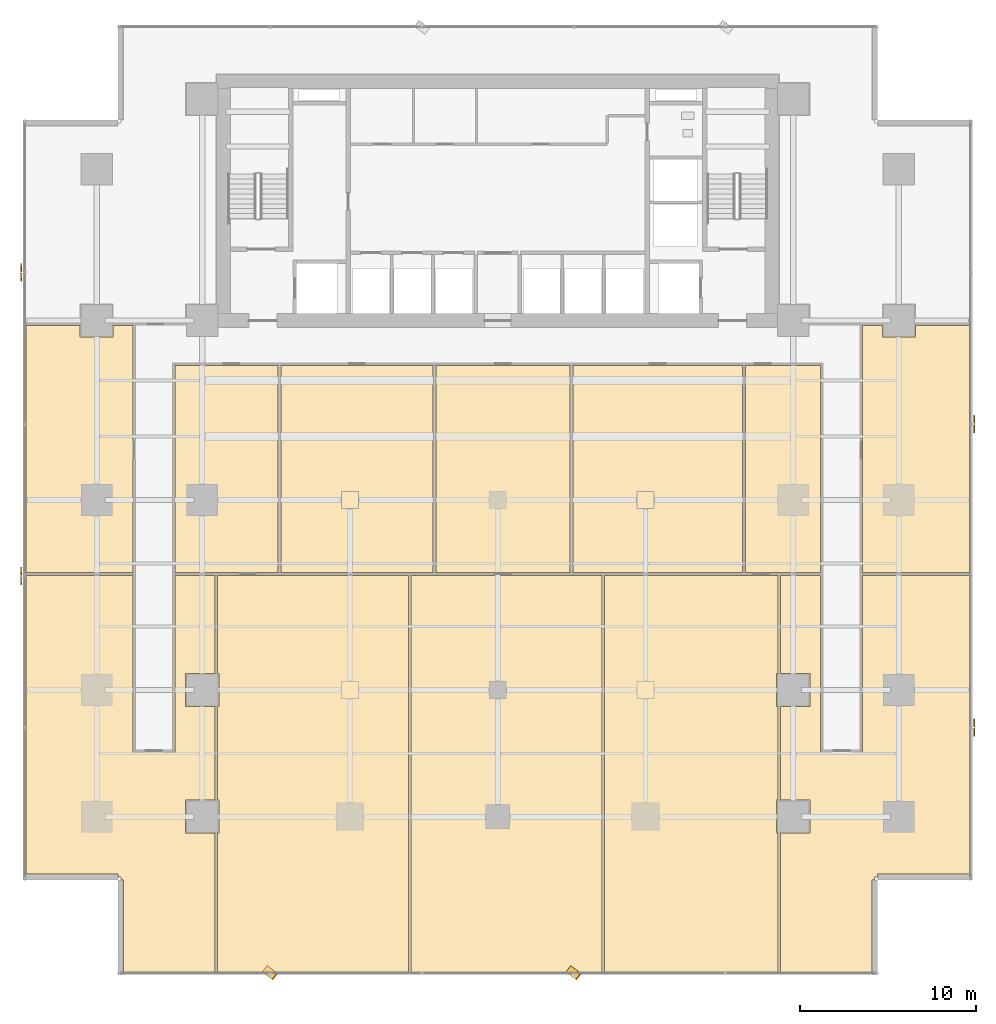
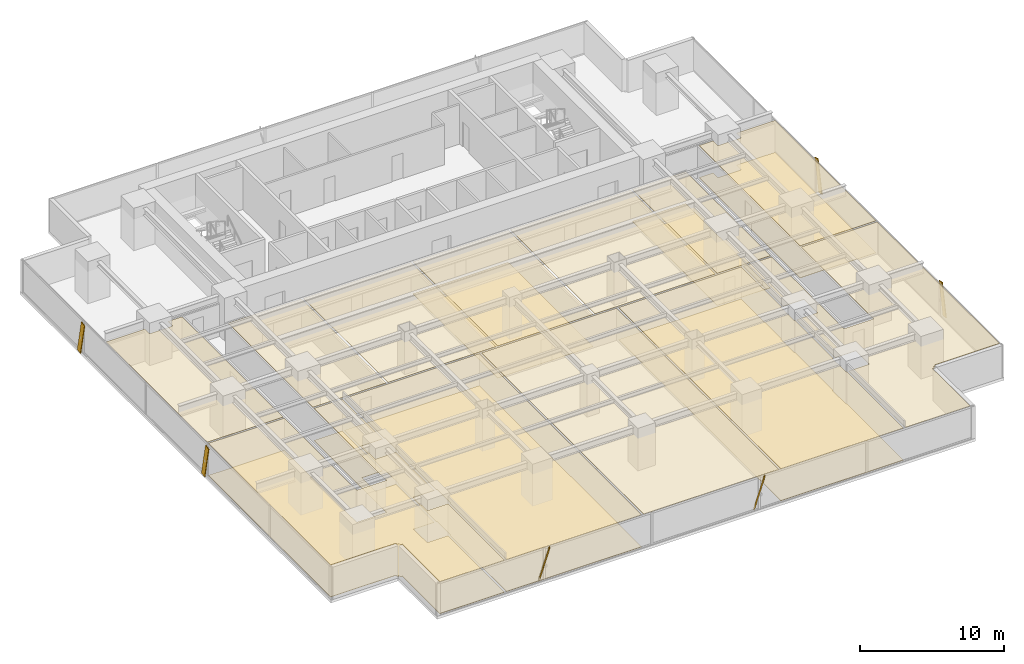
# One storey, part 29 of 33: 18 coverings, 6 shading devices.
"""IFC4 building model written with IfcOpenShell, lengths in metres."""

from ifc_helpers import new_model, si_unit, direction, frame, origin, origin_2d, place, context, subcontext, project, spatial, polyline, rectangle, outline, extrude, source, transform, mapped, material, layer, layer_set, material_profile, profile_set, type_object, element, save


model = new_model("IFC4")

# Units and contexts
model_context = context("Model", 3, precision=1e-05, world=origin(), true_north=direction((0.0, 1.0)))
body_context = subcontext(model_context, "Body", "Model", "MODEL_VIEW")
ifc_project = project(units=[si_unit("LENGTHUNIT", "METRE"), si_unit("AREAUNIT", "SQUARE_METRE"), si_unit("VOLUMEUNIT", "CUBIC_METRE"), si_unit("PLANEANGLEUNIT", "RADIAN"), si_unit("MASSUNIT", "GRAM", prefix="KILO")], contexts=[model_context])

# Site, building, storey
site_placement = place(None, origin())
site = spatial("IfcSite", under=ifc_project, at=site_placement, CompositionType="ELEMENT")
building_placement = place(site_placement, origin())
building = spatial("IfcBuilding", under=site, at=building_placement, Name="Sumidabori Civic Tower", CompositionType="ELEMENT")
storey_placement = place(building_placement, frame((0.0, 0.0, 30.800048828125)))
storey = spatial("IfcBuildingStorey", under=building, at=storey_placement, Name="L07", CompositionType="ELEMENT", Elevation=30.800048828125)

# Coverings
ifc_material_1 = material(Name="Acoustic Mineral Gypsum Ceiling Tile")
ifc_layer_1 = layer(ifc_material_1, 0.034912109375, Name="Acoustic Mineral Gypsum Ceiling Tile")
ifc_layer_set_1 = layer_set([ifc_layer_1], Name="Acoustic Mineral Gypsum Ceiling Tile")
covering_type_1 = type_object("IfcCoveringType", Name="CV-CEIL-AC1", PredefinedType="CEILING", material=ifc_layer_set_1)
covering_1_placement = place(storey_placement, frame((0.0, 0.0, 2.7099609375)))
element("IfcCovering", 1, at=covering_1_placement, inside=storey, type_object=covering_type_1, Name="Room Acoustic Ceiling L07-02", PredefinedType="CEILING", context=body_context, shape_type="SweptSolid", body=[
    extrude(outline(polyline([(-26.830078125, -4.1201171875), (-26.830078125, 9.919921875), (-23.739990234375, 9.919921875), (-23.739990234375, 9.260009765625), (-21.860107421875, 9.260009765625), (-21.860107421875, 9.919921875), (-20.739990234375, 9.919921875), (-20.739990234375, -4.1201171875), (-26.830078125, -4.1201171875)])), origin(), (0.0, 0.0, 1.0), 0.034912109375),
])
covering_2_placement = place(storey_placement, frame((0.0, 0.0, 2.7099609375)))
element("IfcCovering", 2, at=covering_2_placement, inside=storey, type_object=covering_type_1, Name="Room Acoustic Ceiling L07-03", PredefinedType="CEILING", context=body_context, shape_type="SweptSolid", body=[
    extrude(outline(polyline([(20.739990234375, 9.919921875), (21.860107421875, 9.919921875), (21.860107421875, 9.260009765625), (23.739990234375, 9.260009765625), (23.739990234375, 9.919921875), (26.830078125, 9.919921875), (26.830078125, -4.1201171875), (20.739990234375, -4.1201171875), (20.739990234375, 9.919921875)])), origin(), (0.0, 0.0, 1.0), 0.034912109375),
])
covering_3_placement = place(storey_placement, frame((0.0, 0.0, 2.7099609375)))
element("IfcCovering", 3, at=covering_3_placement, inside=storey, type_object=covering_type_1, Name="Room Acoustic Ceiling L07-04", PredefinedType="CEILING", context=body_context, shape_type="SweptSolid", body=[
    extrude(outline(polyline([(-18.360107421875, 7.659912109375), (-12.47998046875, 7.659912109375), (-12.47998046875, -4.1201171875), (-18.360107421875, -4.1201171875), (-18.360107421875, 7.659912109375)])), origin(), (0.0, 0.0, 1.0), 0.034912109375),
])
covering_4_placement = place(storey_placement, frame((0.0, 0.0, 2.7099609375)))
element("IfcCovering", 4, at=covering_4_placement, inside=storey, type_object=covering_type_1, Name="Room Acoustic Ceiling L07-05", PredefinedType="CEILING", context=body_context, shape_type="SweptSolid", body=[
    extrude(outline(polyline([(14.080078125, 7.659912109375), (18.360107421875, 7.659912109375), (18.360107421875, -4.1201171875), (14.080078125, -4.1201171875), (14.080078125, 7.659912109375)])), origin(), (0.0, 0.0, 1.0), 0.034912109375),
])
covering_5_placement = place(storey_placement, frame((0.0, 0.0, 2.7099609375)))
element("IfcCovering", 5, at=covering_5_placement, inside=storey, type_object=covering_type_1, Name="Room Acoustic Ceiling L07-06", PredefinedType="CEILING", context=body_context, shape_type="SweptSolid", body=[
    extrude(outline(polyline([(-12.320068359375, 7.659912109375), (-3.679931640625, 7.659912109375), (-3.679931640625, -4.1201171875), (-12.320068359375, -4.1201171875), (-12.320068359375, 7.659912109375)])), origin(), (0.0, 0.0, 1.0), 0.034912109375),
])
covering_6_placement = place(storey_placement, frame((0.0, 0.0, 2.7099609375)))
element("IfcCovering", 6, at=covering_6_placement, inside=storey, type_object=covering_type_1, Name="Room Acoustic Ceiling L07-07", PredefinedType="CEILING", context=body_context, shape_type="SweptSolid", body=[
    extrude(outline(polyline([(-3.52001953125, 7.659912109375), (4.1201171875, 7.659912109375), (4.1201171875, -4.1201171875), (-3.52001953125, -4.1201171875), (-3.52001953125, 7.659912109375)])), origin(), (0.0, 0.0, 1.0), 0.034912109375),
])
covering_7_placement = place(storey_placement, frame((0.0, 0.0, 2.7099609375)))
element("IfcCovering", 7, at=covering_7_placement, inside=storey, type_object=covering_type_1, Name="Room Acoustic Ceiling L07-08", PredefinedType="CEILING", context=body_context, shape_type="SweptSolid", body=[
    extrude(outline(polyline([(4.280029296875, 7.659912109375), (13.919921875, 7.659912109375), (13.919921875, -4.1201171875), (4.280029296875, -4.1201171875), (4.280029296875, 7.659912109375)])), origin(), (0.0, 0.0, 1.0), 0.034912109375),
])
covering_8_placement = place(storey_placement, frame((0.0, 0.0, 2.7099609375)))
element("IfcCovering", 8, at=covering_8_placement, inside=storey, type_object=covering_type_1, Name="Room Acoustic Ceiling L07-09", PredefinedType="CEILING", context=body_context, shape_type="SweptSolid", body=[
    extrude(outline(polyline([(-26.830078125, -21.27197265625), (-26.830078125, -4.280029296875), (-20.739990234375, -4.280029296875), (-20.739990234375, -14.33251953125), (-20.724609375, -14.340087890625), (-18.360107421875, -14.340087890625), (-18.360107421875, -4.280029296875), (-16.080078125, -4.280029296875), (-16.080078125, -9.860107421875), (-17.739990234375, -9.860107421875), (-17.739990234375, -11.739990234375), (-16.080078125, -11.739990234375), (-16.080078125, -17.06005859375), (-17.739990234375, -17.06005859375), (-17.739990234375, -18.93994140625), (-16.080078125, -18.93994140625), (-16.080078125, -26.830078125), (-21.27197265625, -26.830078125), (-21.27197265625, -21.592041015625), (-21.429931640625, -21.592041015625), (-21.429931640625, -21.429931640625), (-21.592041015625, -21.429931640625), (-21.592041015625, -21.27197265625), (-26.830078125, -21.27197265625)])), origin(), (0.0, 0.0, 1.0), 0.034912109375),
])
covering_9_placement = place(storey_placement, frame((0.0, 0.0, 2.7099609375)))
element("IfcCovering", 9, at=covering_9_placement, inside=storey, type_object=covering_type_1, Name="Room Acoustic Ceiling L07-10", PredefinedType="CEILING", context=body_context, shape_type="SweptSolid", body=[
    extrude(outline(polyline([(18.360107421875, -14.340087890625), (20.724609375, -14.340087890625), (20.739990234375, -14.33251953125), (20.739990234375, -4.280029296875), (26.830078125, -4.280029296875), (26.830078125, -21.27197265625), (21.592041015625, -21.27197265625), (21.592041015625, -21.429931640625), (21.429931640625, -21.429931640625), (21.429931640625, -21.592041015625), (21.27197265625, -21.592041015625), (21.27197265625, -26.830078125), (16.080078125, -26.830078125), (16.080078125, -18.93994140625), (17.739990234375, -18.93994140625), (17.739990234375, -17.06005859375), (16.080078125, -17.06005859375), (16.080078125, -11.739990234375), (17.739990234375, -11.739990234375), (17.739990234375, -9.860107421875), (16.080078125, -9.860107421875), (16.080078125, -4.280029296875), (18.360107421875, -4.280029296875), (18.360107421875, -14.340087890625)])), origin(), (0.0, 0.0, 1.0), 0.034912109375),
])
covering_10_placement = place(storey_placement, frame((0.0, 0.0, 2.7099609375)))
element("IfcCovering", 10, at=covering_10_placement, inside=storey, type_object=covering_type_1, Name="Room Acoustic Ceiling L07-11", PredefinedType="CEILING", context=body_context, shape_type="SweptSolid", body=[
    extrude(outline(polyline([(-15.860107421875, -17.06005859375), (-15.919921875, -17.06005859375), (-15.919921875, -11.739990234375), (-15.860107421875, -11.739990234375), (-15.860107421875, -9.860107421875), (-15.919921875, -9.860107421875), (-15.919921875, -4.280029296875), (-5.080078125, -4.280029296875), (-5.080078125, -26.830078125), (-15.919921875, -26.830078125), (-15.919921875, -18.93994140625), (-15.860107421875, -18.93994140625), (-15.860107421875, -17.06005859375)])), origin(), (0.0, 0.0, 1.0), 0.034912109375),
])
covering_11_placement = place(storey_placement, frame((0.0, 0.0, 2.7099609375)))
element("IfcCovering", 11, at=covering_11_placement, inside=storey, type_object=covering_type_1, Name="Room Acoustic Ceiling L07-12", PredefinedType="CEILING", context=body_context, shape_type="SweptSolid", body=[
    extrude(outline(polyline([(5.919921875, -26.830078125), (-4.919921875, -26.830078125), (-4.919921875, -4.280029296875), (5.919921875, -4.280029296875), (5.919921875, -26.830078125)])), origin(), (0.0, 0.0, 1.0), 0.034912109375),
])
covering_12_placement = place(storey_placement, frame((0.0, 0.0, 2.7099609375)))
element("IfcCovering", 12, at=covering_12_placement, inside=storey, type_object=covering_type_1, Name="Room Acoustic Ceiling L07-13", PredefinedType="CEILING", context=body_context, shape_type="SweptSolid", body=[
    extrude(outline(polyline([(15.919921875, -18.93994140625), (15.919921875, -26.830078125), (6.080078125, -26.830078125), (6.080078125, -4.280029296875), (15.919921875, -4.280029296875), (15.919921875, -9.860107421875), (15.860107421875, -9.860107421875), (15.860107421875, -11.739990234375), (15.919921875, -11.739990234375), (15.919921875, -17.06005859375), (15.860107421875, -17.06005859375), (15.860107421875, -18.93994140625), (15.919921875, -18.93994140625)])), origin(), (0.0, 0.0, 1.0), 0.034912109375),
])
ifc_material_2 = material(Name="Honed Terrazzo Tile Flooring")
ifc_layer_2 = layer(ifc_material_2, 0.030029296875, Name="Honed Terrazzo Tile Flooring")
ifc_layer_set_2 = layer_set([ifc_layer_2], Name="Honed Terrazzo Tile Flooring")
covering_type_2 = type_object("IfcCoveringType", Name="CV-FLR-TER", PredefinedType="FLOORING", material=ifc_layer_set_2)
covering_13_placement = place(storey_placement, origin())
element("IfcCovering", 13, at=covering_13_placement, inside=storey, type_object=covering_type_2, Name="Room Terrazzo Floor L07-03", PredefinedType="FLOORING", context=body_context, shape_type="SweptSolid", body=[
    extrude(outline(polyline([(20.739990234375, 9.919921875), (21.860107421875, 9.919921875), (21.860107421875, 9.260009765625), (23.739990234375, 9.260009765625), (23.739990234375, 9.919921875), (26.830078125, 9.919921875), (26.830078125, -4.1201171875), (20.739990234375, -4.1201171875), (20.739990234375, 9.919921875)])), origin(), (0.0, 0.0, 1.0), 0.030029296875),
])
covering_14_placement = place(storey_placement, origin())
element("IfcCovering", 14, at=covering_14_placement, inside=storey, type_object=covering_type_2, Name="Room Terrazzo Floor L07-05", PredefinedType="FLOORING", context=body_context, shape_type="SweptSolid", body=[
    extrude(outline(polyline([(14.080078125, 7.659912109375), (18.360107421875, 7.659912109375), (18.360107421875, -4.1201171875), (14.080078125, -4.1201171875), (14.080078125, 7.659912109375)])), origin(), (0.0, 0.0, 1.0), 0.030029296875),
])
covering_15_placement = place(storey_placement, origin())
element("IfcCovering", 15, at=covering_15_placement, inside=storey, type_object=covering_type_2, Name="Room Terrazzo Floor L07-07", PredefinedType="FLOORING", context=body_context, shape_type="SweptSolid", body=[
    extrude(outline(polyline([(-3.52001953125, 7.659912109375), (4.1201171875, 7.659912109375), (4.1201171875, -4.1201171875), (-3.52001953125, -4.1201171875), (-3.52001953125, 7.659912109375)])), origin(), (0.0, 0.0, 1.0), 0.030029296875),
])
covering_16_placement = place(storey_placement, origin())
element("IfcCovering", 16, at=covering_16_placement, inside=storey, type_object=covering_type_2, Name="Room Terrazzo Floor L07-09", PredefinedType="FLOORING", context=body_context, shape_type="SweptSolid", body=[
    extrude(outline(polyline([(-26.830078125, -21.27197265625), (-26.830078125, -4.280029296875), (-20.739990234375, -4.280029296875), (-20.739990234375, -14.33251953125), (-20.724609375, -14.340087890625), (-18.360107421875, -14.340087890625), (-18.360107421875, -4.280029296875), (-16.080078125, -4.280029296875), (-16.080078125, -9.860107421875), (-17.739990234375, -9.860107421875), (-17.739990234375, -11.739990234375), (-16.080078125, -11.739990234375), (-16.080078125, -17.06005859375), (-17.739990234375, -17.06005859375), (-17.739990234375, -18.93994140625), (-16.080078125, -18.93994140625), (-16.080078125, -26.830078125), (-21.27197265625, -26.830078125), (-21.27197265625, -21.592041015625), (-21.429931640625, -21.592041015625), (-21.429931640625, -21.429931640625), (-21.592041015625, -21.429931640625), (-21.592041015625, -21.27197265625), (-26.830078125, -21.27197265625)])), origin(), (0.0, 0.0, 1.0), 0.030029296875),
])
covering_17_placement = place(storey_placement, origin())
element("IfcCovering", 17, at=covering_17_placement, inside=storey, type_object=covering_type_2, Name="Room Terrazzo Floor L07-11", PredefinedType="FLOORING", context=body_context, shape_type="SweptSolid", body=[
    extrude(outline(polyline([(-15.860107421875, -17.06005859375), (-15.919921875, -17.06005859375), (-15.919921875, -11.739990234375), (-15.860107421875, -11.739990234375), (-15.860107421875, -9.860107421875), (-15.919921875, -9.860107421875), (-15.919921875, -4.280029296875), (-5.080078125, -4.280029296875), (-5.080078125, -26.830078125), (-15.919921875, -26.830078125), (-15.919921875, -18.93994140625), (-15.860107421875, -18.93994140625), (-15.860107421875, -17.06005859375)])), origin(), (0.0, 0.0, 1.0), 0.030029296875),
])
covering_18_placement = place(storey_placement, origin())
element("IfcCovering", 18, at=covering_18_placement, inside=storey, type_object=covering_type_2, Name="Room Terrazzo Floor L07-13", PredefinedType="FLOORING", context=body_context, shape_type="SweptSolid", body=[
    extrude(outline(polyline([(15.919921875, -18.93994140625), (15.919921875, -26.830078125), (6.080078125, -26.830078125), (6.080078125, -4.280029296875), (15.919921875, -4.280029296875), (15.919921875, -9.860107421875), (15.860107421875, -9.860107421875), (15.860107421875, -11.739990234375), (15.919921875, -11.739990234375), (15.919921875, -17.06005859375), (15.860107421875, -17.06005859375), (15.860107421875, -18.93994140625), (15.919921875, -18.93994140625)])), origin(), (0.0, 0.0, 1.0), 0.030029296875),
])

# Shading devices
ifc_material_3 = material(Name="Anodised Bronze Aluminium AW-6063-T6", Category="aluminium")
ifc_material_profile = material_profile(ifc_material_3, rectangle(XDim=0.06005859375, YDim=0.449951171875, at=origin_2d()), Name="BRONZE FIN 450x60")
ifc_profile_set = profile_set([ifc_material_profile], Name="Anodised Bronze Aluminium AW-6063-T6")
shading_device_type = type_object("IfcShadingDeviceType", Name="SH-FIN-450", PredefinedType="USERDEFINED", material=ifc_profile_set)
shared_shape_1 = source(origin(), body_context, "Body", "SweptSolid", [
    extrude(rectangle(XDim=0.06005859375, YDim=0.449951171875, at=origin_2d()), origin(), (0.0, 0.0, 1.0), 2.769775390625),
])
for number, where, z_axis, x_axis, name in (
    (19, (-13.221923828125, -26.669921875, 0.02001953125), (0.20211139135, -0.151693721986, 0.967543280787), (0.773832092044, -0.580795913828, -0.252705361643), "Bronze Anodised Diagonal Fin L07-01"),
    (20, (4.033935546875, -26.669921875, 0.02001953125), (0.202195931323, -0.151691019096, 0.967526041035), (0.773939855131, -0.580623579198, -0.252771358975), "Bronze Anodised Diagonal Fin L07-03"),
):
    element("IfcShadingDevice", number, at=place(storey_placement, frame(where, z_axis=z_axis, x_axis=x_axis)), inside=storey, type_object=shading_device_type, Name=name, ObjectType="FIN", PredefinedType="USERDEFINED", context=body_context, shape_type="MappedRepresentation", body=[
        mapped(shared_shape_1, transform((0.0, 0.0, 0.0), x_axis=(1.0, 0.0, 0.0), y_axis=(0.0, 1.0, 0.0), z_axis=(0.0, 0.0, 1.0), scale=1.0)),
    ])
shared_shape_2 = source(origin(), body_context, "Body", "SweptSolid", [
    extrude(rectangle(XDim=0.06005859375, YDim=0.449951171875, at=origin_2d()), origin(), (0.0, 0.0, 1.0), 2.73779296875),
])
for number, where, z_axis, x_axis, name in (
    (21, (27.090087890625, -13.221923828125, 0.02001953125), (0.0, 0.204477700022, 0.978871222477), (-1.0, 0.0, 0.0), "Bronze Anodised Diagonal Fin L07-01"),
    (22, (27.090087890625, 4.033935546875, 0.02001953125), (0.0, 0.204563143937, 0.978853370093), (-1.0, 0.0, 0.0), "Bronze Anodised Diagonal Fin L07-03"),
    (23, (-27.090087890625, 13.221923828125, 0.02001953125), (0.0, -0.204477700022, 0.978871222477), (-1.0, 0.0, 0.0), "Bronze Anodised Diagonal Fin L07-01"),
    (24, (-27.090087890625, -4.033935546875, 0.02001953125), (0.0, -0.204563143937, 0.978853370093), (-1.0, 0.0, 0.0), "Bronze Anodised Diagonal Fin L07-03"),
):
    element("IfcShadingDevice", number, at=place(storey_placement, frame(where, z_axis=z_axis, x_axis=x_axis)), inside=storey, type_object=shading_device_type, Name=name, ObjectType="FIN", PredefinedType="USERDEFINED", context=body_context, shape_type="MappedRepresentation", body=[
        mapped(shared_shape_2, transform((0.0, 0.0, 0.0), x_axis=(1.0, 0.0, 0.0), y_axis=(0.0, 1.0, 0.0), z_axis=(0.0, 0.0, 1.0), scale=1.0)),
    ])

save(model, "model.ifc")
